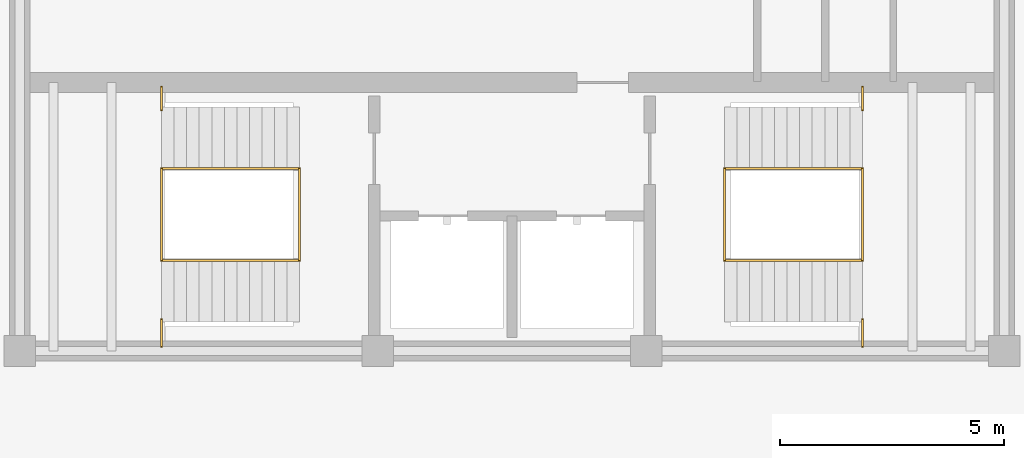
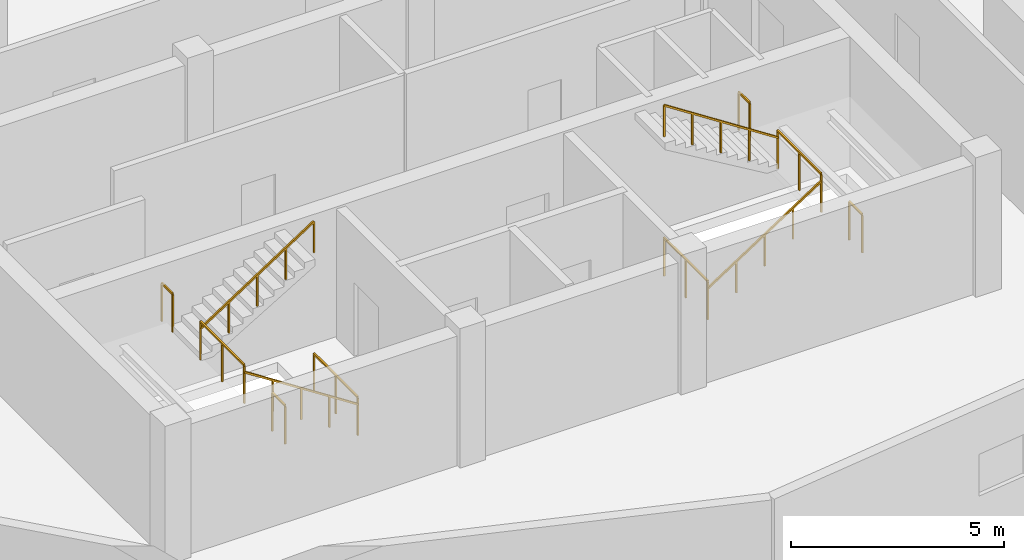
# One storey, part 3 of 4: 12 railings.
"""IFC4 building model written with IfcOpenShell, lengths in metres."""

from ifc_helpers import new_model, si_unit, direction, frame, origin, origin_2d, place, context, subcontext, project, spatial, rectangle, extrude, material, type_object, element, save


model = new_model("IFC4")

# Units and contexts
model_context = context("Model", 3, precision=1e-05, world=origin(), true_north=direction((0.0, 1.0)))
body_context = subcontext(model_context, "Body", "Model", "MODEL_VIEW")
ifc_project = project(units=[si_unit("LENGTHUNIT", "METRE"), si_unit("AREAUNIT", "SQUARE_METRE"), si_unit("VOLUMEUNIT", "CUBIC_METRE"), si_unit("PLANEANGLEUNIT", "RADIAN"), si_unit("MASSUNIT", "GRAM", prefix="KILO")], contexts=[model_context])

# Site, building, storey
site_placement = place(None, origin())
site = spatial("IfcSite", under=ifc_project, at=site_placement, CompositionType="ELEMENT")
building_placement = place(site_placement, origin())
building = spatial("IfcBuilding", under=site, at=building_placement, Name="Kazevale Care Tower and Concert Hall", CompositionType="ELEMENT")
storey_placement = place(building_placement, frame((0.0, 0.0, 300.800048828125)))
storey = spatial("IfcBuildingStorey", under=building, at=storey_placement, Name="L79", CompositionType="ELEMENT", Elevation=300.800048828125)

# Railings
ifc_material = material(Name="Stainless Steel 316", Category="steel")
railing_type_1 = type_object("IfcRailingType", Name="Stair Pitch Handrail 920", PredefinedType="HANDRAIL", material=ifc_material)
railing_1_placement = place(storey_placement, frame((28.25, 25.6201171875, 0.0)))
element("IfcRailing", 1, at=railing_1_placement, inside=storey, type_object=railing_type_1, Name="stair:L79:ST1:hr1", PredefinedType="HANDRAIL", context=body_context, shape_type="SweptSolid", body=[
    extrude(rectangle(XDim=0.048095703125, YDim=0.048095703125, at=origin_2d()), frame((0.0, 0.0, 0.89599609375), z_axis=(-0.838698691485, 0.0, 0.544595726113), x_axis=(0.0, -1.0, 0.0)), (0.0, 0.0, 1.0), 3.67236328125),
    extrude(rectangle(XDim=0.0419921875, YDim=0.0419921875, at=origin_2d()), origin(), (0.0, 0.0, 1.0), 0.871826171875),
    extrude(rectangle(XDim=0.0419921875, YDim=0.0419921875, at=origin_2d()), frame((-0.77001953125, 0.0, 0.5)), (0.0, 0.0, 1.0), 0.871826171875),
    extrude(rectangle(XDim=0.0419921875, YDim=0.0419921875, at=origin_2d()), frame((-1.5400390625, 0.0, 1.0)), (0.0, 0.0, 1.0), 0.871826171875),
    extrude(rectangle(XDim=0.0419921875, YDim=0.0419921875, at=origin_2d()), frame((-2.31005859375, 0.0, 1.5)), (0.0, 0.0, 1.0), 0.871826171875),
    extrude(rectangle(XDim=0.0419921875, YDim=0.0419921875, at=origin_2d()), frame((-3.080078125, 0.0, 2.0)), (0.0, 0.0, 1.0), 0.871826171875),
])
for number, where, name in (
    (2, (25.169921875, 27.679931640625, 2.0), "stair:L79:ST1:hr2"),
    (3, (37.75, 25.6201171875, 0.0), "stair:L79:ST2:hr1"),
):
    element("IfcRailing", number, at=place(storey_placement, frame(where)), inside=storey, type_object=railing_type_1, Name=name, PredefinedType="HANDRAIL", context=body_context, shape_type="SweptSolid", body=[
        extrude(rectangle(XDim=0.048095703125, YDim=0.048095703125, at=origin_2d()), frame((0.0, 0.0, 0.89599609375), z_axis=(0.838698691485, 0.0, 0.544595726113), x_axis=(0.0, 1.0, 0.0)), (0.0, 0.0, 1.0), 3.67236328125),
        extrude(rectangle(XDim=0.0419921875, YDim=0.0419921875, at=origin_2d()), origin(), (0.0, 0.0, 1.0), 0.871826171875),
        extrude(rectangle(XDim=0.0419921875, YDim=0.0419921875, at=origin_2d()), frame((0.77001953125, 0.0, 0.5)), (0.0, 0.0, 1.0), 0.871826171875),
        extrude(rectangle(XDim=0.0419921875, YDim=0.0419921875, at=origin_2d()), frame((1.5400390625, 0.0, 1.0)), (0.0, 0.0, 1.0), 0.871826171875),
        extrude(rectangle(XDim=0.0419921875, YDim=0.0419921875, at=origin_2d()), frame((2.31005859375, 0.0, 1.5)), (0.0, 0.0, 1.0), 0.871826171875),
        extrude(rectangle(XDim=0.0419921875, YDim=0.0419921875, at=origin_2d()), frame((3.080078125, 0.0, 2.0)), (0.0, 0.0, 1.0), 0.871826171875),
    ])
railing_2_placement = place(storey_placement, frame((40.830078125, 27.679931640625, 2.0)))
element("IfcRailing", 4, at=railing_2_placement, inside=storey, type_object=railing_type_1, Name="stair:L79:ST2:hr2", PredefinedType="HANDRAIL", context=body_context, shape_type="SweptSolid", body=[
    extrude(rectangle(XDim=0.048095703125, YDim=0.048095703125, at=origin_2d()), frame((0.0, 0.0, 0.89599609375), z_axis=(-0.838698691485, 0.0, 0.544595726113), x_axis=(0.0, -1.0, 0.0)), (0.0, 0.0, 1.0), 3.67236328125),
    extrude(rectangle(XDim=0.0419921875, YDim=0.0419921875, at=origin_2d()), origin(), (0.0, 0.0, 1.0), 0.871826171875),
    extrude(rectangle(XDim=0.0419921875, YDim=0.0419921875, at=origin_2d()), frame((-0.77001953125, 0.0, 0.5)), (0.0, 0.0, 1.0), 0.871826171875),
    extrude(rectangle(XDim=0.0419921875, YDim=0.0419921875, at=origin_2d()), frame((-1.5400390625, 0.0, 1.0)), (0.0, 0.0, 1.0), 0.871826171875),
    extrude(rectangle(XDim=0.0419921875, YDim=0.0419921875, at=origin_2d()), frame((-2.31005859375, 0.0, 1.5)), (0.0, 0.0, 1.0), 0.871826171875),
    extrude(rectangle(XDim=0.0419921875, YDim=0.0419921875, at=origin_2d()), frame((-3.080078125, 0.0, 2.0)), (0.0, 0.0, 1.0), 0.871826171875),
])
railing_type_2 = type_object("IfcRailingType", Name="Stair Well Guard Balustrade 1120", PredefinedType="BALUSTRADE", material=ifc_material)
railing_3_placement = place(storey_placement, frame((25.169921875, 23.699951171875, 2.0)))
element("IfcRailing", 5, at=railing_3_placement, inside=storey, type_object=railing_type_2, Name="stair:L79:ST1:grd_side1", PredefinedType="BALUSTRADE", context=body_context, shape_type="SweptSolid", body=[
    extrude(rectangle(XDim=0.048095703125, YDim=0.048095703125, at=origin_2d()), frame((0.0, 0.0, 1.09619140625), z_axis=(0.0, 1.0, 0.0), x_axis=(-1.0, 0.0, 0.0)), (0.0, 0.0, 1.0), 0.610107421875),
    extrude(rectangle(XDim=0.0419921875, YDim=0.0419921875, at=origin_2d()), origin(), (0.0, 0.0, 1.0), 1.072021484375),
    extrude(rectangle(XDim=0.0419921875, YDim=0.0419921875, at=origin_2d()), frame((0.0, 0.610107421875, 0.0)), (0.0, 0.0, 1.0), 1.072021484375),
])
railing_4_placement = place(storey_placement, frame((25.169921875, 28.989990234375, 2.0)))
element("IfcRailing", 6, at=railing_4_placement, inside=storey, type_object=railing_type_2, Name="stair:L79:ST1:grd_side2", PredefinedType="BALUSTRADE", context=body_context, shape_type="SweptSolid", body=[
    extrude(rectangle(XDim=0.048095703125, YDim=0.048095703125, at=origin_2d()), frame((0.0, 0.0, 1.09619140625), z_axis=(0.0, 1.0, 0.0), x_axis=(-1.0, 0.0, 0.0)), (0.0, 0.0, 1.0), 0.510009765625),
    extrude(rectangle(XDim=0.0419921875, YDim=0.0419921875, at=origin_2d()), origin(), (0.0, 0.0, 1.0), 1.072021484375),
    extrude(rectangle(XDim=0.0419921875, YDim=0.0419921875, at=origin_2d()), frame((0.0, 0.510009765625, 0.0)), (0.0, 0.0, 1.0), 1.072021484375),
])
for number, where, name in (
    (7, (25.169921875, 25.6201171875, 2.0), "stair:L79:ST1:grd_mid"),
    (8, (28.25, 25.6201171875, 0.0), "stair:L79:ST1:grd_flr"),
):
    element("IfcRailing", number, at=place(storey_placement, frame(where)), inside=storey, type_object=railing_type_2, Name=name, PredefinedType="BALUSTRADE", context=body_context, shape_type="SweptSolid", body=[
        extrude(rectangle(XDim=0.048095703125, YDim=0.048095703125, at=origin_2d()), frame((0.0, 0.0, 1.09619140625), z_axis=(0.0, 1.0, 0.0), x_axis=(-1.0, 0.0, 0.0)), (0.0, 0.0, 1.0), 2.059814453125),
        extrude(rectangle(XDim=0.0419921875, YDim=0.0419921875, at=origin_2d()), origin(), (0.0, 0.0, 1.0), 1.072021484375),
        extrude(rectangle(XDim=0.0419921875, YDim=0.0419921875, at=origin_2d()), frame((0.0, 1.02978515625, 0.0)), (0.0, 0.0, 1.0), 1.072021484375),
        extrude(rectangle(XDim=0.0419921875, YDim=0.0419921875, at=origin_2d()), frame((0.0, 2.059814453125, 0.0)), (0.0, 0.0, 1.0), 1.072021484375),
    ])
railing_5_placement = place(storey_placement, frame((40.830078125, 23.699951171875, 2.0)))
element("IfcRailing", 9, at=railing_5_placement, inside=storey, type_object=railing_type_2, Name="stair:L79:ST2:grd_side1", PredefinedType="BALUSTRADE", context=body_context, shape_type="SweptSolid", body=[
    extrude(rectangle(XDim=0.048095703125, YDim=0.048095703125, at=origin_2d()), frame((0.0, 0.0, 1.09619140625), z_axis=(0.0, 1.0, 0.0), x_axis=(-1.0, 0.0, 0.0)), (0.0, 0.0, 1.0), 0.610107421875),
    extrude(rectangle(XDim=0.0419921875, YDim=0.0419921875, at=origin_2d()), origin(), (0.0, 0.0, 1.0), 1.072021484375),
    extrude(rectangle(XDim=0.0419921875, YDim=0.0419921875, at=origin_2d()), frame((0.0, 0.610107421875, 0.0)), (0.0, 0.0, 1.0), 1.072021484375),
])
railing_6_placement = place(storey_placement, frame((40.830078125, 28.989990234375, 2.0)))
element("IfcRailing", 10, at=railing_6_placement, inside=storey, type_object=railing_type_2, Name="stair:L79:ST2:grd_side2", PredefinedType="BALUSTRADE", context=body_context, shape_type="SweptSolid", body=[
    extrude(rectangle(XDim=0.048095703125, YDim=0.048095703125, at=origin_2d()), frame((0.0, 0.0, 1.09619140625), z_axis=(0.0, 1.0, 0.0), x_axis=(-1.0, 0.0, 0.0)), (0.0, 0.0, 1.0), 0.510009765625),
    extrude(rectangle(XDim=0.0419921875, YDim=0.0419921875, at=origin_2d()), origin(), (0.0, 0.0, 1.0), 1.072021484375),
    extrude(rectangle(XDim=0.0419921875, YDim=0.0419921875, at=origin_2d()), frame((0.0, 0.510009765625, 0.0)), (0.0, 0.0, 1.0), 1.072021484375),
])
for number, where, name in (
    (11, (40.830078125, 25.6201171875, 2.0), "stair:L79:ST2:grd_mid"),
    (12, (37.75, 25.6201171875, 0.0), "stair:L79:ST2:grd_flr"),
):
    element("IfcRailing", number, at=place(storey_placement, frame(where)), inside=storey, type_object=railing_type_2, Name=name, PredefinedType="BALUSTRADE", context=body_context, shape_type="SweptSolid", body=[
        extrude(rectangle(XDim=0.048095703125, YDim=0.048095703125, at=origin_2d()), frame((0.0, 0.0, 1.09619140625), z_axis=(0.0, 1.0, 0.0), x_axis=(-1.0, 0.0, 0.0)), (0.0, 0.0, 1.0), 2.059814453125),
        extrude(rectangle(XDim=0.0419921875, YDim=0.0419921875, at=origin_2d()), origin(), (0.0, 0.0, 1.0), 1.072021484375),
        extrude(rectangle(XDim=0.0419921875, YDim=0.0419921875, at=origin_2d()), frame((0.0, 1.02978515625, 0.0)), (0.0, 0.0, 1.0), 1.072021484375),
        extrude(rectangle(XDim=0.0419921875, YDim=0.0419921875, at=origin_2d()), frame((0.0, 2.059814453125, 0.0)), (0.0, 0.0, 1.0), 1.072021484375),
    ])

save(model, "model.ifc")
